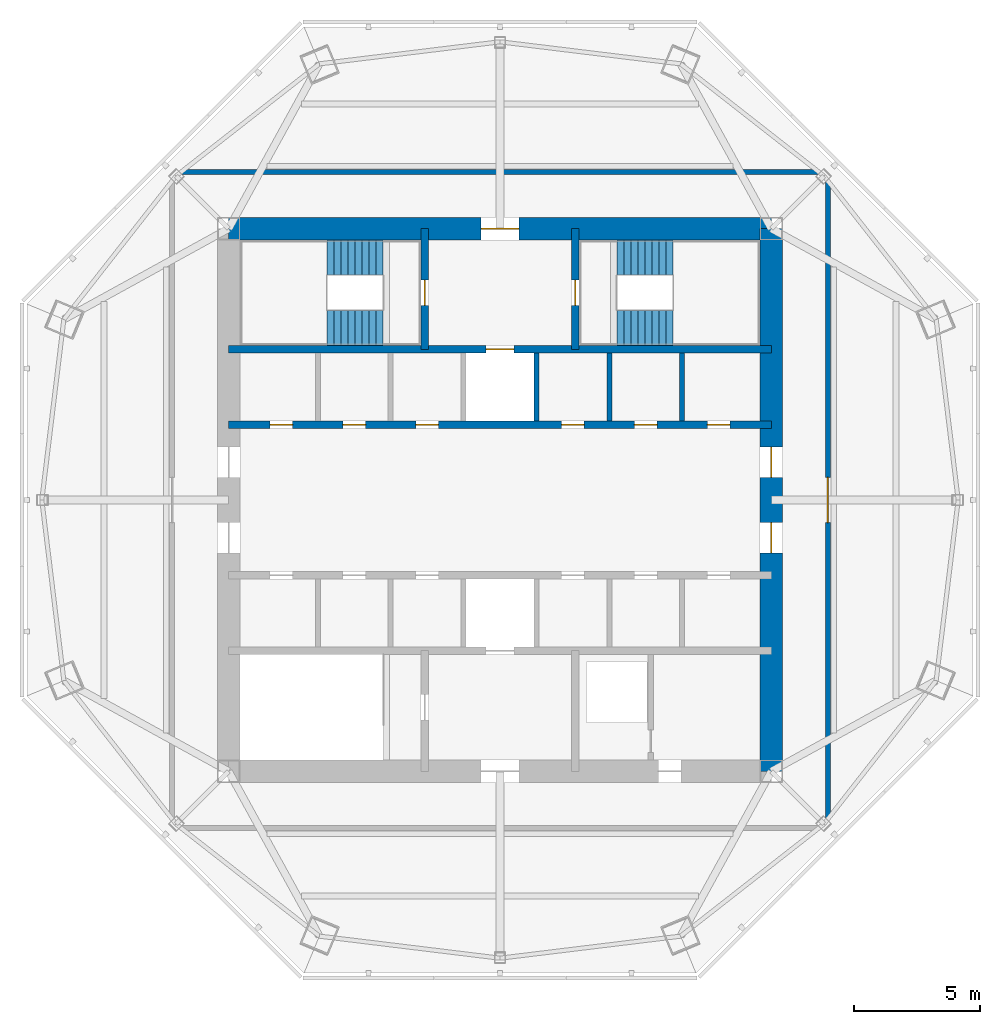
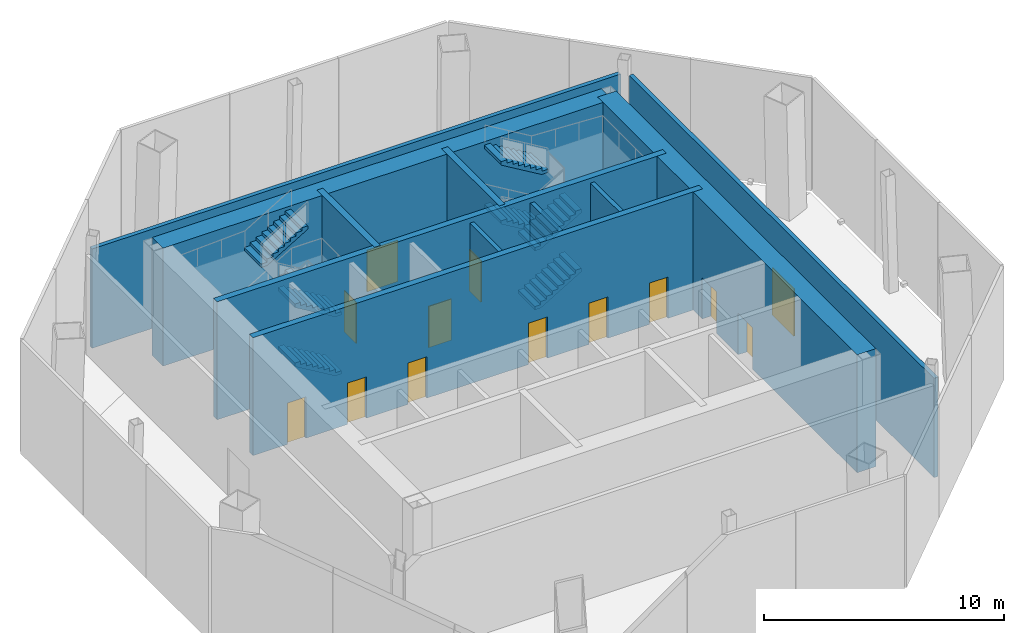
# One storey, part 3 of 6: 13 doors, 11 walls, 8 stair flights, 13 openings, 2 elements without a shape of their own.
"""IFC4 building model written with IfcOpenShell, lengths in metres."""

from ifc_helpers import new_model, si_unit, direction, frame, frame_2d, origin, place, context, subcontext, project, spatial, polyline, rectangle, outline, extrude, material, layer, layer_set, type_object, element, fill, aggregate, save


model = new_model("IFC4")

# Units and contexts
model_context = context("Model", 3, precision=1e-05, world=origin(), true_north=direction((0.0, 1.0)))
body_context = subcontext(model_context, "Body", "Model", "MODEL_VIEW")
ifc_project = project(units=[si_unit("LENGTHUNIT", "METRE"), si_unit("AREAUNIT", "SQUARE_METRE"), si_unit("VOLUMEUNIT", "CUBIC_METRE"), si_unit("PLANEANGLEUNIT", "RADIAN"), si_unit("MASSUNIT", "GRAM", prefix="KILO")], contexts=[model_context])

# Site, building, storey
site_placement = place(None, origin())
site = spatial("IfcSite", under=ifc_project, at=site_placement, CompositionType="ELEMENT")
building_placement = place(site_placement, origin())
building = spatial("IfcBuilding", under=site, at=building_placement, Name="Mashrafa Tower", CompositionType="ELEMENT")
storey_placement = place(building_placement, frame((0.0, 0.0, 317.60009765625)))
storey = spatial("IfcBuildingStorey", under=building, at=storey_placement, Name="L78", CompositionType="ELEMENT", Elevation=317.60009765625)

# Wall, opening, door
ifc_material_1 = material(Name="Concrete masonry unit", Category="masonry")
ifc_layer_1 = layer(ifc_material_1, 0.199951171875)
ifc_layer_set_1 = layer_set([ifc_layer_1], Name="Blockwork wall 200 2 hr")
wall_type_1 = type_object("IfcWallType", Name="Blockwork wall 200 2 hr", PredefinedType="PARTITIONING", material=ifc_layer_set_1)
wall_1_placement = place(storey_placement, frame((13.050048828125, -12.704833984375, 0.0), z_axis=(0.0, 0.0, 1.0), x_axis=(0.0, 1.0, 0.0)))
wall_1 = element("IfcWall", 1, at=wall_1_placement, inside=storey, type_object=wall_type_1, Name="Blockwork wall L78-001", PredefinedType="PARTITIONING", context=body_context, shape_type="SweptSolid", body=[
    extrude(rectangle(XDim=25.40966796875, YDim=0.199951171875, at=frame_2d((12.704833984375, 0.0))), origin(), (0.0, 0.0, 1.0), 5.04638671875),
])
opening_1_placement = place(wall_1_placement, frame((11.804931640625, 0.0, 0.0)))
opening_1 = element("IfcOpeningElement", 2, at=opening_1_placement, cuts=wall_1, Name="Opening 78.001", PredefinedType="OPENING", context=body_context, shape_type="SweptSolid", body=[
    extrude(rectangle(XDim=1.800048828125, YDim=2.39990234375, at=frame_2d((0.89990234375, 1.199951171875))), frame((0.0, 0.10986328125, 0.0), z_axis=(0.0, -1.0, 0.0), x_axis=(1.0, 0.0, 0.0)), (0.0, 0.0, 1.0), 0.219970703125),
])
ifc_material_2 = material(Name="Steel door", Category="steel")
door_type_1 = type_object("IfcDoorType", Name="Door pair 1800 x 2400 90 min", OperationType="DOUBLE_DOOR_SINGLE_SWING", PredefinedType="DOOR", material=ifc_material_2)
door_1_placement = place(opening_1_placement, frame((1.800048828125, 0.0, 0.0), z_axis=(0.0, 0.0, 1.0), x_axis=(-1.0, 0.0, 0.0)))
door_1 = element("IfcDoor", 3, at=door_1_placement, inside=storey, type_object=door_type_1, Name="Crown Plant Room L78 North door", OperationType="DOUBLE_DOOR_SINGLE_SWING", OverallHeight=2.39990234375, OverallWidth=1.800048828125, PredefinedType="DOOR", context=body_context, shape_type="SweptSolid", body=[
    extrude(rectangle(XDim=1.800048828125, YDim=2.39990234375, at=frame_2d((0.89990234375, 1.199951171875))), frame((0.0, 0.02490234375, 0.0), z_axis=(0.0, -1.0, 0.0), x_axis=(1.0, 0.0, 0.0)), (0.0, 0.0, 1.0), 0.050048828125),
])
fill(opening_1, door_1)

# Wall
wall_2_placement = place(storey_placement, frame((12.704833984375, 13.050048828125, 0.0), z_axis=(0.0, 0.0, 1.0), x_axis=(-1.0, 0.0, 0.0)))
element("IfcWall", 4, at=wall_2_placement, inside=storey, type_object=wall_type_1, Name="Blockwork wall L78-002", PredefinedType="PARTITIONING", context=body_context, shape_type="SweptSolid", body=[
    extrude(rectangle(XDim=25.40966796875, YDim=0.199951171875, at=frame_2d((12.704833984375, 0.0))), origin(), (0.0, 0.0, 1.0), 5.04638671875),
])

# Wall, openings, doors
ifc_material_3 = material(Name="Concrete C50/60", Category="concrete")
ifc_layer_2 = layer(ifc_material_3, 0.300048828125)
ifc_layer_set_2 = layer_set([ifc_layer_2], Name="Core wall 300 C50/60")
wall_type_2 = type_object("IfcWallType", Name="Core wall 300 C50/60", PredefinedType="SOLIDWALL", material=ifc_layer_set_2)
wall_3_placement = place(storey_placement, frame((-10.800048828125, 3.0, 0.0), z_axis=(0.0, 0.0, 1.0), x_axis=(1.0, 0.0, 0.0)))
wall_3 = element("IfcWall", 5, at=wall_3_placement, inside=storey, type_object=wall_type_2, Name="Core wall CH-N L78", PredefinedType="SOLIDWALL", context=body_context, shape_type="SweptSolid", body=[
    extrude(rectangle(XDim=21.60009765625, YDim=0.300048828125, at=frame_2d((10.800048828125, 0.0))), origin(), (0.0, 0.0, 1.0), 6.0),
])
opening_2_placement = place(wall_3_placement, frame((1.64990234375, 0.0, 0.0)))
opening_2 = element("IfcOpeningElement", 6, at=opening_2_placement, cuts=wall_3, Name="Opening 78.014", PredefinedType="OPENING", context=body_context, shape_type="SweptSolid", body=[
    extrude(rectangle(XDim=0.89990234375, YDim=2.10009765625, at=frame_2d((0.449951171875, 1.050048828125))), frame((0.0, 0.159912109375, 0.0), z_axis=(0.0, -1.0, 0.0), x_axis=(1.0, 0.0, 0.0)), (0.0, 0.0, 1.0), 0.320068359375),
])
opening_3_placement = place(wall_3_placement, frame((4.550048828125, 0.0, 0.0)))
opening_3 = element("IfcOpeningElement", 7, at=opening_3_placement, cuts=wall_3, Name="Opening 78.015", PredefinedType="OPENING", context=body_context, shape_type="SweptSolid", body=[
    extrude(rectangle(XDim=0.89990234375, YDim=2.10009765625, at=frame_2d((0.449951171875, 1.050048828125))), frame((0.0, 0.159912109375, 0.0), z_axis=(0.0, -1.0, 0.0), x_axis=(1.0, 0.0, 0.0)), (0.0, 0.0, 1.0), 0.320068359375),
])
opening_4_placement = place(wall_3_placement, frame((7.449951171875, 0.0, 0.0)))
opening_4 = element("IfcOpeningElement", 8, at=opening_4_placement, cuts=wall_3, Name="Opening 78.016", PredefinedType="OPENING", context=body_context, shape_type="SweptSolid", body=[
    extrude(rectangle(XDim=0.89990234375, YDim=2.10009765625, at=frame_2d((0.449951171875, 1.050048828125))), frame((0.0, 0.159912109375, 0.0), z_axis=(0.0, -1.0, 0.0), x_axis=(1.0, 0.0, 0.0)), (0.0, 0.0, 1.0), 0.320068359375),
])
opening_5_placement = place(wall_3_placement, frame((13.25, 0.0, 0.0)))
opening_5 = element("IfcOpeningElement", 9, at=opening_5_placement, cuts=wall_3, Name="Opening 78.017", PredefinedType="OPENING", context=body_context, shape_type="SweptSolid", body=[
    extrude(rectangle(XDim=0.89990234375, YDim=2.10009765625, at=frame_2d((0.449951171875, 1.050048828125))), frame((0.0, 0.159912109375, 0.0), z_axis=(0.0, -1.0, 0.0), x_axis=(1.0, 0.0, 0.0)), (0.0, 0.0, 1.0), 0.320068359375),
])
opening_6_placement = place(wall_3_placement, frame((16.14990234375, 0.0, 0.0)))
opening_6 = element("IfcOpeningElement", 10, at=opening_6_placement, cuts=wall_3, Name="Opening 78.018", PredefinedType="OPENING", context=body_context, shape_type="SweptSolid", body=[
    extrude(rectangle(XDim=0.89990234375, YDim=2.10009765625, at=frame_2d((0.449951171875, 1.050048828125))), frame((0.0, 0.159912109375, 0.0), z_axis=(0.0, -1.0, 0.0), x_axis=(1.0, 0.0, 0.0)), (0.0, 0.0, 1.0), 0.320068359375),
])
opening_7_placement = place(wall_3_placement, frame((19.050048828125, 0.0, 0.0)))
opening_7 = element("IfcOpeningElement", 11, at=opening_7_placement, cuts=wall_3, Name="Opening 78.019", PredefinedType="OPENING", context=body_context, shape_type="SweptSolid", body=[
    extrude(rectangle(XDim=0.89990234375, YDim=2.10009765625, at=frame_2d((0.449951171875, 1.050048828125))), frame((0.0, 0.159912109375, 0.0), z_axis=(0.0, -1.0, 0.0), x_axis=(1.0, 0.0, 0.0)), (0.0, 0.0, 1.0), 0.320068359375),
])
ifc_material_4 = material(Name="Timber door", Category="wood")
door_type_2 = type_object("IfcDoorType", Name="Store door 900 x 2100", OperationType="USERDEFINED", PredefinedType="DOOR", material=ifc_material_4)
door_2_placement = place(opening_2_placement, origin())
door_2 = element("IfcDoor", 12, at=door_2_placement, inside=storey, type_object=door_type_2, Name="Plant Store L78-A1 door", OperationType="SINGLE_SWING_RIGHT", OverallHeight=2.10009765625, OverallWidth=0.89990234375, PredefinedType="DOOR", context=body_context, shape_type="SweptSolid", body=[
    extrude(rectangle(XDim=0.89990234375, YDim=2.10009765625, at=frame_2d((0.449951171875, 1.050048828125))), frame((0.0, 0.02490234375, 0.0), z_axis=(0.0, -1.0, 0.0), x_axis=(1.0, 0.0, 0.0)), (0.0, 0.0, 1.0), 0.050048828125),
])
fill(opening_2, door_2)
door_3_placement = place(opening_3_placement, origin())
door_3 = element("IfcDoor", 13, at=door_3_placement, inside=storey, type_object=door_type_2, Name="Plant Store L78-A2 door", OperationType="SINGLE_SWING_LEFT", OverallHeight=2.10009765625, OverallWidth=0.89990234375, PredefinedType="DOOR", context=body_context, shape_type="SweptSolid", body=[
    extrude(rectangle(XDim=0.89990234375, YDim=2.10009765625, at=frame_2d((0.449951171875, 1.050048828125))), frame((0.0, 0.02490234375, 0.0), z_axis=(0.0, -1.0, 0.0), x_axis=(1.0, 0.0, 0.0)), (0.0, 0.0, 1.0), 0.050048828125),
])
fill(opening_3, door_3)
door_4_placement = place(opening_4_placement, origin())
door_4 = element("IfcDoor", 14, at=door_4_placement, inside=storey, type_object=door_type_2, Name="Plant Store L78-A3 door", OperationType="SINGLE_SWING_LEFT", OverallHeight=2.10009765625, OverallWidth=0.89990234375, PredefinedType="DOOR", context=body_context, shape_type="SweptSolid", body=[
    extrude(rectangle(XDim=0.89990234375, YDim=2.10009765625, at=frame_2d((0.449951171875, 1.050048828125))), frame((0.0, 0.02490234375, 0.0), z_axis=(0.0, -1.0, 0.0), x_axis=(1.0, 0.0, 0.0)), (0.0, 0.0, 1.0), 0.050048828125),
])
fill(opening_4, door_4)
door_5_placement = place(opening_5_placement, origin())
door_5 = element("IfcDoor", 15, at=door_5_placement, inside=storey, type_object=door_type_2, Name="Plant Store L78-A4 door", OperationType="SINGLE_SWING_LEFT", OverallHeight=2.10009765625, OverallWidth=0.89990234375, PredefinedType="DOOR", context=body_context, shape_type="SweptSolid", body=[
    extrude(rectangle(XDim=0.89990234375, YDim=2.10009765625, at=frame_2d((0.449951171875, 1.050048828125))), frame((0.0, 0.02490234375, 0.0), z_axis=(0.0, -1.0, 0.0), x_axis=(1.0, 0.0, 0.0)), (0.0, 0.0, 1.0), 0.050048828125),
])
fill(opening_5, door_5)
door_6_placement = place(opening_6_placement, origin())
door_6 = element("IfcDoor", 16, at=door_6_placement, inside=storey, type_object=door_type_2, Name="Plant Store L78-K1 door", OperationType="SINGLE_SWING_LEFT", OverallHeight=2.10009765625, OverallWidth=0.89990234375, PredefinedType="DOOR", context=body_context, shape_type="SweptSolid", body=[
    extrude(rectangle(XDim=0.89990234375, YDim=2.10009765625, at=frame_2d((0.449951171875, 1.050048828125))), frame((0.0, 0.02490234375, 0.0), z_axis=(0.0, -1.0, 0.0), x_axis=(1.0, 0.0, 0.0)), (0.0, 0.0, 1.0), 0.050048828125),
])
fill(opening_6, door_6)
door_7_placement = place(opening_7_placement, origin())
door_7 = element("IfcDoor", 17, at=door_7_placement, inside=storey, type_object=door_type_2, Name="Plant Store L78-K2 door", OperationType="SINGLE_SWING_LEFT", OverallHeight=2.10009765625, OverallWidth=0.89990234375, PredefinedType="DOOR", context=body_context, shape_type="SweptSolid", body=[
    extrude(rectangle(XDim=0.89990234375, YDim=2.10009765625, at=frame_2d((0.449951171875, 1.050048828125))), frame((0.0, 0.02490234375, 0.0), z_axis=(0.0, -1.0, 0.0), x_axis=(1.0, 0.0, 0.0)), (0.0, 0.0, 1.0), 0.050048828125),
])
fill(opening_7, door_7)

# Wall, opening, door
wall_4_placement = place(storey_placement, frame((-10.800048828125, 6.0, 0.0), z_axis=(0.0, 0.0, 1.0), x_axis=(1.0, 0.0, 0.0)))
wall_4 = element("IfcWall", 18, at=wall_4_placement, inside=storey, type_object=wall_type_2, Name="Core wall CB-N L78", PredefinedType="SOLIDWALL", context=body_context, shape_type="SweptSolid", body=[
    extrude(rectangle(XDim=21.60009765625, YDim=0.300048828125, at=frame_2d((10.800048828125, 0.0))), origin(), (0.0, 0.0, 1.0), 6.0),
])
opening_8_placement = place(wall_4_placement, frame((10.25, 0.0, 0.0)))
opening_8 = element("IfcOpeningElement", 19, at=opening_8_placement, cuts=wall_4, Name="Opening 78.F1", PredefinedType="OPENING", context=body_context, shape_type="SweptSolid", body=[
    extrude(rectangle(XDim=1.10009765625, YDim=2.10009765625, at=frame_2d((0.550048828125, 1.050048828125))), frame((0.0, 0.159912109375, 0.0), z_axis=(0.0, -1.0, 0.0), x_axis=(1.0, 0.0, 0.0)), (0.0, 0.0, 1.0), 0.320068359375),
])
ifc_material_5 = material(Name="Steel door", Category="steel")
door_type_3 = type_object("IfcDoorType", Name="Lift landing door 1100 x 2100 90 min", OperationType="DOUBLE_DOOR_SLIDING", PredefinedType="DOOR", material=ifc_material_5)
door_8_placement = place(opening_8_placement, origin())
door_8 = element("IfcDoor", 20, at=door_8_placement, inside=storey, type_object=door_type_3, Name="Lift landing door F1 L78", OperationType="DOUBLE_DOOR_SLIDING", OverallHeight=2.10009765625, OverallWidth=1.10009765625, PredefinedType="DOOR", context=body_context, shape_type="SweptSolid", body=[
    extrude(rectangle(XDim=1.10009765625, YDim=2.10009765625, at=frame_2d((0.550048828125, 1.050048828125))), frame((0.0, 0.02490234375, 0.0), z_axis=(0.0, -1.0, 0.0), x_axis=(1.0, 0.0, 0.0)), (0.0, 0.0, 1.0), 0.050048828125),
])
fill(opening_8, door_8)

wall_5_placement = place(storey_placement, frame((-3.0, 6.0, 0.0), z_axis=(0.0, 0.0, 1.0), x_axis=(0.0, 1.0, 0.0)))
wall_5 = element("IfcWall", 21, at=wall_5_placement, inside=storey, type_object=wall_type_2, Name="Core wall CX-NW L78", PredefinedType="SOLIDWALL", context=body_context, shape_type="SweptSolid", body=[
    extrude(rectangle(XDim=4.800048828125, YDim=0.300048828125, at=frame_2d((2.39990234375, 0.0))), origin(), (0.0, 0.0, 1.0), 6.0),
])
opening_9_placement = place(wall_5_placement, frame((1.75, 0.0, 0.0)))
opening_9 = element("IfcOpeningElement", 22, at=opening_9_placement, cuts=wall_5, Name="Opening 78.009", PredefinedType="OPENING", context=body_context, shape_type="SweptSolid", body=[
    extrude(rectangle(XDim=1.0, YDim=2.10009765625, at=frame_2d((0.5, 1.050048828125))), frame((0.0, 0.159912109375, 0.0), z_axis=(0.0, -1.0, 0.0), x_axis=(1.0, 0.0, 0.0)), (0.0, 0.0, 1.0), 0.320068359375),
])
ifc_material_6 = material(Name="Steel door", Category="steel")
door_type_4 = type_object("IfcDoorType", Name="Stair door 1000 x 2100 90 min", OperationType="USERDEFINED", PredefinedType="DOOR", material=ifc_material_6)
door_9_placement = place(opening_9_placement, origin())
door_9 = element("IfcDoor", 23, at=door_9_placement, inside=storey, type_object=door_type_4, Name="Stair S1 door L78", OperationType="SINGLE_SWING_LEFT", OverallHeight=2.10009765625, OverallWidth=1.0, PredefinedType="DOOR", context=body_context, shape_type="SweptSolid", body=[
    extrude(rectangle(XDim=1.0, YDim=2.10009765625, at=frame_2d((0.5, 1.050048828125))), frame((0.0, 0.02490234375, 0.0), z_axis=(0.0, -1.0, 0.0), x_axis=(1.0, 0.0, 0.0)), (0.0, 0.0, 1.0), 0.050048828125),
])
fill(opening_9, door_9)

wall_6_placement = place(storey_placement, frame((3.0, 6.0, 0.0), z_axis=(0.0, 0.0, 1.0), x_axis=(0.0, 1.0, 0.0)))
wall_6 = element("IfcWall", 24, at=wall_6_placement, inside=storey, type_object=wall_type_2, Name="Core wall CX-NE L78", PredefinedType="SOLIDWALL", context=body_context, shape_type="SweptSolid", body=[
    extrude(rectangle(XDim=4.800048828125, YDim=0.300048828125, at=frame_2d((2.39990234375, 0.0))), origin(), (0.0, 0.0, 1.0), 6.0),
])
opening_10_placement = place(wall_6_placement, frame((1.75, 0.0, 0.0)))
opening_10 = element("IfcOpeningElement", 25, at=opening_10_placement, cuts=wall_6, Name="Opening 78.010", PredefinedType="OPENING", context=body_context, shape_type="SweptSolid", body=[
    extrude(rectangle(XDim=1.0, YDim=2.10009765625, at=frame_2d((0.5, 1.050048828125))), frame((0.0, 0.159912109375, 0.0), z_axis=(0.0, -1.0, 0.0), x_axis=(1.0, 0.0, 0.0)), (0.0, 0.0, 1.0), 0.320068359375),
])
door_10_placement = place(opening_10_placement, frame((1.0, 0.0, 0.0), z_axis=(0.0, 0.0, 1.0), x_axis=(-1.0, 0.0, 0.0)))
door_10 = element("IfcDoor", 26, at=door_10_placement, inside=storey, type_object=door_type_4, Name="Stair S2 door L78", OperationType="SINGLE_SWING_RIGHT", OverallHeight=2.10009765625, OverallWidth=1.0, PredefinedType="DOOR", context=body_context, shape_type="SweptSolid", body=[
    extrude(rectangle(XDim=1.0, YDim=2.10009765625, at=frame_2d((0.5, 1.050048828125))), frame((0.0, 0.02490234375, 0.0), z_axis=(0.0, -1.0, 0.0), x_axis=(1.0, 0.0, 0.0)), (0.0, 0.0, 1.0), 0.050048828125),
])
fill(opening_10, door_10)

# Wall, openings, doors
ifc_material_7 = material(Name="Concrete C50/60", Category="concrete")
ifc_layer_3 = layer(ifc_material_7, 0.89990234375)
ifc_layer_set_3 = layer_set([ifc_layer_3], Name="Core wall 900 C50/60")
wall_type_3 = type_object("IfcWallType", Name="Core wall 900 C50/60", PredefinedType="SOLIDWALL", material=ifc_layer_set_3)
wall_7_placement = place(storey_placement, frame((10.800048828125, -10.800048828125, 0.0), z_axis=(0.0, 0.0, 1.0), x_axis=(0.0, 1.0, 0.0)))
wall_7 = element("IfcWall", 27, at=wall_7_placement, inside=storey, type_object=wall_type_3, Name="Core wall CW-E L78", PredefinedType="SOLIDWALL", context=body_context, shape_type="SweptSolid", body=[
    extrude(rectangle(XDim=21.60009765625, YDim=0.89990234375, at=frame_2d((10.800048828125, 0.0))), origin(), (0.0, 0.0, 1.0), 6.0),
])
opening_11_placement = place(wall_7_placement, frame((11.699951171875, 0.0, 0.0)))
opening_11 = element("IfcOpeningElement", 28, at=opening_11_placement, cuts=wall_7, Name="Opening 78.003", PredefinedType="OPENING", context=body_context, shape_type="SweptSolid", body=[
    extrude(rectangle(XDim=1.199951171875, YDim=2.10009765625, at=frame_2d((0.60009765625, 1.050048828125))), frame((0.0, 0.4599609375, 0.0), z_axis=(0.0, -1.0, 0.0), x_axis=(1.0, 0.0, 0.0)), (0.0, 0.0, 1.0), 0.919921875),
])
opening_12_placement = place(wall_7_placement, frame((8.699951171875, 0.0, 0.0)))
opening_12 = element("IfcOpeningElement", 29, at=opening_12_placement, cuts=wall_7, Name="Opening 78.005", PredefinedType="OPENING", context=body_context, shape_type="SweptSolid", body=[
    extrude(rectangle(XDim=1.199951171875, YDim=2.10009765625, at=frame_2d((0.60009765625, 1.050048828125))), frame((0.0, 0.4599609375, 0.0), z_axis=(0.0, -1.0, 0.0), x_axis=(1.0, 0.0, 0.0)), (0.0, 0.0, 1.0), 0.919921875),
])
ifc_material_8 = material(Name="Steel door", Category="steel")
door_type_5 = type_object("IfcDoorType", Name="Lift hall door 1200 x 2100 90 min", OperationType="USERDEFINED", PredefinedType="DOOR", material=ifc_material_8)
door_11_placement = place(opening_11_placement, frame((1.199951171875, 0.0, 0.0), z_axis=(0.0, 0.0, 1.0), x_axis=(-1.0, 0.0, 0.0)))
door_11 = element("IfcDoor", 30, at=door_11_placement, inside=storey, type_object=door_type_5, Name="Lift hall door east L78", OperationType="SINGLE_SWING_LEFT", OverallHeight=2.10009765625, OverallWidth=1.199951171875, PredefinedType="DOOR", context=body_context, shape_type="SweptSolid", body=[
    extrude(rectangle(XDim=1.199951171875, YDim=2.10009765625, at=frame_2d((0.60009765625, 1.050048828125))), frame((0.0, 0.02490234375, 0.0), z_axis=(0.0, -1.0, 0.0), x_axis=(1.0, 0.0, 0.0)), (0.0, 0.0, 1.0), 0.050048828125),
])
fill(opening_11, door_11)
door_12_placement = place(opening_12_placement, frame((1.199951171875, 0.0, 0.0), z_axis=(0.0, 0.0, 1.0), x_axis=(-1.0, 0.0, 0.0)))
door_12 = element("IfcDoor", 31, at=door_12_placement, inside=storey, type_object=door_type_5, Name="Lift hall door east L78", OperationType="SINGLE_SWING_RIGHT", OverallHeight=2.10009765625, OverallWidth=1.199951171875, PredefinedType="DOOR", context=body_context, shape_type="SweptSolid", body=[
    extrude(rectangle(XDim=1.199951171875, YDim=2.10009765625, at=frame_2d((0.60009765625, 1.050048828125))), frame((0.0, 0.02490234375, 0.0), z_axis=(0.0, -1.0, 0.0), x_axis=(1.0, 0.0, 0.0)), (0.0, 0.0, 1.0), 0.050048828125),
])
fill(opening_12, door_12)

# Wall, opening, door
wall_8_placement = place(storey_placement, frame((10.800048828125, 10.800048828125, 0.0), z_axis=(0.0, 0.0, 1.0), x_axis=(-1.0, 0.0, 0.0)))
wall_8 = element("IfcWall", 32, at=wall_8_placement, inside=storey, type_object=wall_type_3, Name="Core wall CW-N L78", PredefinedType="SOLIDWALL", context=body_context, shape_type="SweptSolid", body=[
    extrude(rectangle(XDim=21.60009765625, YDim=0.89990234375, at=frame_2d((10.800048828125, 0.0))), origin(), (0.0, 0.0, 1.0), 6.0),
])
opening_13_placement = place(wall_8_placement, frame((10.050048828125, 0.0, 0.0)))
opening_13 = element("IfcOpeningElement", 33, at=opening_13_placement, cuts=wall_8, Name="Opening 78.007", PredefinedType="OPENING", context=body_context, shape_type="SweptSolid", body=[
    extrude(rectangle(XDim=1.5, YDim=2.10009765625, at=frame_2d((0.75, 1.050048828125))), frame((0.0, 0.4599609375, 0.0), z_axis=(0.0, -1.0, 0.0), x_axis=(1.0, 0.0, 0.0)), (0.0, 0.0, 1.0), 0.919921875),
])
ifc_material_9 = material(Name="Steel door", Category="steel")
door_type_6 = type_object("IfcDoorType", Name="Lobby door pair 1500 x 2100 90 min", OperationType="DOUBLE_DOOR_SINGLE_SWING", PredefinedType="DOOR", material=ifc_material_9)
door_13_placement = place(opening_13_placement, origin())
door_13 = element("IfcDoor", 34, at=door_13_placement, inside=storey, type_object=door_type_6, Name="Fire-fighting lobby F1 door L78", OperationType="DOUBLE_DOOR_SINGLE_SWING", OverallHeight=2.10009765625, OverallWidth=1.5, PredefinedType="DOOR", context=body_context, shape_type="SweptSolid", body=[
    extrude(rectangle(XDim=1.5, YDim=2.10009765625, at=frame_2d((0.75, 1.050048828125))), frame((0.0, 0.02490234375, 0.0), z_axis=(0.0, -1.0, 0.0), x_axis=(1.0, 0.0, 0.0)), (0.0, 0.0, 1.0), 0.050048828125),
])
fill(opening_13, door_13)

# Walls
ifc_material_10 = material(Name="Gypsum shaft wall on steel studs", Category="steel")
ifc_layer_4 = layer(ifc_material_10, 0.199951171875)
ifc_layer_set_4 = layer_set([ifc_layer_4], Name="Shaft divider wall 200 2 hr")
wall_type_4 = type_object("IfcWallType", Name="Shaft divider wall 200 2 hr", PredefinedType="PARTITIONING", material=ifc_layer_set_4)
for number, where, z_axis, x_axis, name in (
    (35, (1.449951171875, 3.14990234375, 0.0), (0.0, 0.0, 1.0), (0.0, 1.0, 0.0), "Shaft divider wall N4 L78"),
    (36, (4.35009765625, 3.14990234375, 0.0), (0.0, 0.0, 1.0), (0.0, 1.0, 0.0), "Shaft divider wall N5 L78"),
    (37, (7.25, 3.14990234375, 0.0), (0.0, 0.0, 1.0), (0.0, 1.0, 0.0), "Shaft divider wall N6 L78"),
):
    element("IfcWall", number, at=place(storey_placement, frame(where, z_axis=z_axis, x_axis=x_axis)), inside=storey, type_object=wall_type_4, Name=name, PredefinedType="PARTITIONING", context=body_context, shape_type="SweptSolid", body=[
        extrude(rectangle(XDim=2.7001953125, YDim=0.199951171875, at=frame_2d((1.35009765625, 0.0))), origin(), (0.0, 0.0, 1.0), 5.75),
    ])

# Stair, stair flights
ifc_material_11 = material(Name="Exit stair 1400")
stair_type = type_object("IfcStairType", Name="Exit stair 1400", PredefinedType="HALF_TURN_STAIR", material=ifc_material_11)
stair_1_placement = place(storey_placement, origin())
stair_1 = element("IfcStair", 38, at=stair_1_placement, inside=storey, type_object=stair_type, Name="Stair S1 L78", PredefinedType="HALF_TURN_STAIR")
ifc_material_12 = material(Name="Concrete C32/40", Category="concrete")
stair_flight_type = type_object("IfcStairFlightType", Name="Stair flight 1400", PredefinedType="STRAIGHT", material=ifc_material_12)
stair_flight_1_placement = place(storey_placement, frame((-4.64990234375, 6.85009765625, 0.0), z_axis=(0.0, 0.0, 1.0), x_axis=(-1.0, 0.0, 0.0)))
stair_flight_1 = element("IfcStairFlight", 39, at=stair_flight_1_placement, type_object=stair_flight_type, Name="S1 flight 1", NumberOfRisers=9, NumberOfTreads=8, PredefinedType="STRAIGHT", RiserHeight=0.166666667, TreadLength=0.28, context=body_context, shape_type="SweptSolid", body=[
    extrude(outline(polyline([(0.0, 0.0), (0.0, 0.166748046875), (0.280029296875, 0.166748046875), (0.280029296875, 0.333251953125), (0.56005859375, 0.333251953125), (0.56005859375, 0.5), (0.840087890625, 0.5), (0.840087890625, 0.666748046875), (1.1201171875, 0.666748046875), (1.1201171875, 0.833251953125), (1.39990234375, 0.833251953125), (1.39990234375, 1.0), (1.679931640625, 1.0), (1.679931640625, 1.166748046875), (1.9599609375, 1.166748046875), (1.9599609375, 1.333251953125), (2.239990234375, 1.333251953125), (2.239990234375, 1.5), (2.239990234375, 1.158935546875), (0.29296875, 0.0), (0.0, 0.0)])), frame((0.0, 0.699951171875, 0.0), z_axis=(0.0, -1.0, 0.0), x_axis=(1.0, 0.0, 0.0)), (0.0, 0.0, 1.0), 1.39990234375),
])
stair_flight_2_placement = place(storey_placement, frame((-6.889892578125, 9.64990234375, 1.5), z_axis=(0.0, 0.0, 1.0), x_axis=(1.0, 0.0, 0.0)))
stair_flight_2 = element("IfcStairFlight", 40, at=stair_flight_2_placement, type_object=stair_flight_type, Name="S1 flight 2", NumberOfRisers=9, NumberOfTreads=8, PredefinedType="STRAIGHT", RiserHeight=0.166666667, TreadLength=0.28, context=body_context, shape_type="SweptSolid", body=[
    extrude(outline(polyline([(0.0, 0.0), (0.0, 0.166748046875), (0.280029296875, 0.166748046875), (0.280029296875, 0.333251953125), (0.56005859375, 0.333251953125), (0.56005859375, 0.5), (0.840087890625, 0.5), (0.840087890625, 0.666748046875), (1.1201171875, 0.666748046875), (1.1201171875, 0.833251953125), (1.39990234375, 0.833251953125), (1.39990234375, 1.0), (1.679931640625, 1.0), (1.679931640625, 1.166748046875), (1.9599609375, 1.166748046875), (1.9599609375, 1.333251953125), (2.239990234375, 1.333251953125), (2.239990234375, 1.5), (2.239990234375, 1.158935546875), (0.29296875, 0.0), (0.0, 0.0)])), frame((0.0, 0.699951171875, 0.0), z_axis=(0.0, -1.0, 0.0), x_axis=(1.0, 0.0, 0.0)), (0.0, 0.0, 1.0), 1.39990234375),
])
stair_flight_3_placement = place(storey_placement, frame((-4.64990234375, 6.85009765625, 3.0), z_axis=(0.0, 0.0, 1.0), x_axis=(-1.0, 0.0, 0.0)))
stair_flight_3 = element("IfcStairFlight", 41, at=stair_flight_3_placement, type_object=stair_flight_type, Name="S1 flight 3", NumberOfRisers=9, NumberOfTreads=8, PredefinedType="STRAIGHT", RiserHeight=0.166666667, TreadLength=0.28, context=body_context, shape_type="SweptSolid", body=[
    extrude(outline(polyline([(0.0, 0.0), (0.0, 0.166748046875), (0.280029296875, 0.166748046875), (0.280029296875, 0.333251953125), (0.56005859375, 0.333251953125), (0.56005859375, 0.5), (0.840087890625, 0.5), (0.840087890625, 0.666748046875), (1.1201171875, 0.666748046875), (1.1201171875, 0.833251953125), (1.39990234375, 0.833251953125), (1.39990234375, 1.0), (1.679931640625, 1.0), (1.679931640625, 1.166748046875), (1.9599609375, 1.166748046875), (1.9599609375, 1.333251953125), (2.239990234375, 1.333251953125), (2.239990234375, 1.5), (2.239990234375, 1.158935546875), (0.29296875, 0.0), (0.0, 0.0)])), frame((0.0, 0.699951171875, 0.0), z_axis=(0.0, -1.0, 0.0), x_axis=(1.0, 0.0, 0.0)), (0.0, 0.0, 1.0), 1.39990234375),
])
stair_flight_4_placement = place(storey_placement, frame((-6.889892578125, 9.64990234375, 4.5), z_axis=(0.0, 0.0, 1.0), x_axis=(1.0, 0.0, 0.0)))
stair_flight_4 = element("IfcStairFlight", 42, at=stair_flight_4_placement, type_object=stair_flight_type, Name="S1 flight 4", NumberOfRisers=9, NumberOfTreads=8, PredefinedType="STRAIGHT", RiserHeight=0.166666667, TreadLength=0.28, context=body_context, shape_type="SweptSolid", body=[
    extrude(outline(polyline([(0.0, 0.0), (0.0, 0.166748046875), (0.280029296875, 0.166748046875), (0.280029296875, 0.333251953125), (0.56005859375, 0.333251953125), (0.56005859375, 0.5), (0.840087890625, 0.5), (0.840087890625, 0.666748046875), (1.1201171875, 0.666748046875), (1.1201171875, 0.833251953125), (1.39990234375, 0.833251953125), (1.39990234375, 1.0), (1.679931640625, 1.0), (1.679931640625, 1.166748046875), (1.9599609375, 1.166748046875), (1.9599609375, 1.333251953125), (2.239990234375, 1.333251953125), (2.239990234375, 1.5), (2.239990234375, 1.158935546875), (0.29296875, 0.0), (0.0, 0.0)])), frame((0.0, 0.699951171875, 0.0), z_axis=(0.0, -1.0, 0.0), x_axis=(1.0, 0.0, 0.0)), (0.0, 0.0, 1.0), 1.39990234375),
])
aggregate(stair_1, [stair_flight_1, stair_flight_2, stair_flight_3, stair_flight_4])

stair_2_placement = place(storey_placement, origin())
stair_2 = element("IfcStair", 43, at=stair_2_placement, inside=storey, type_object=stair_type, Name="Stair S2 L78", PredefinedType="HALF_TURN_STAIR")
stair_flight_5_placement = place(storey_placement, frame((4.64990234375, 6.85009765625, 0.0), z_axis=(0.0, 0.0, 1.0), x_axis=(1.0, 0.0, 0.0)))
stair_flight_5 = element("IfcStairFlight", 44, at=stair_flight_5_placement, type_object=stair_flight_type, Name="S2 flight 1", NumberOfRisers=9, NumberOfTreads=8, PredefinedType="STRAIGHT", RiserHeight=0.166666667, TreadLength=0.28, context=body_context, shape_type="SweptSolid", body=[
    extrude(outline(polyline([(0.0, 0.0), (0.0, 0.166748046875), (0.280029296875, 0.166748046875), (0.280029296875, 0.333251953125), (0.56005859375, 0.333251953125), (0.56005859375, 0.5), (0.840087890625, 0.5), (0.840087890625, 0.666748046875), (1.1201171875, 0.666748046875), (1.1201171875, 0.833251953125), (1.39990234375, 0.833251953125), (1.39990234375, 1.0), (1.679931640625, 1.0), (1.679931640625, 1.166748046875), (1.9599609375, 1.166748046875), (1.9599609375, 1.333251953125), (2.239990234375, 1.333251953125), (2.239990234375, 1.5), (2.239990234375, 1.158935546875), (0.29296875, 0.0), (0.0, 0.0)])), frame((0.0, 0.699951171875, 0.0), z_axis=(0.0, -1.0, 0.0), x_axis=(1.0, 0.0, 0.0)), (0.0, 0.0, 1.0), 1.39990234375),
])
stair_flight_6_placement = place(storey_placement, frame((6.889892578125, 9.64990234375, 1.5), z_axis=(0.0, 0.0, 1.0), x_axis=(-1.0, 0.0, 0.0)))
stair_flight_6 = element("IfcStairFlight", 45, at=stair_flight_6_placement, type_object=stair_flight_type, Name="S2 flight 2", NumberOfRisers=9, NumberOfTreads=8, PredefinedType="STRAIGHT", RiserHeight=0.166666667, TreadLength=0.28, context=body_context, shape_type="SweptSolid", body=[
    extrude(outline(polyline([(0.0, 0.0), (0.0, 0.166748046875), (0.280029296875, 0.166748046875), (0.280029296875, 0.333251953125), (0.56005859375, 0.333251953125), (0.56005859375, 0.5), (0.840087890625, 0.5), (0.840087890625, 0.666748046875), (1.1201171875, 0.666748046875), (1.1201171875, 0.833251953125), (1.39990234375, 0.833251953125), (1.39990234375, 1.0), (1.679931640625, 1.0), (1.679931640625, 1.166748046875), (1.9599609375, 1.166748046875), (1.9599609375, 1.333251953125), (2.239990234375, 1.333251953125), (2.239990234375, 1.5), (2.239990234375, 1.158935546875), (0.29296875, 0.0), (0.0, 0.0)])), frame((0.0, 0.699951171875, 0.0), z_axis=(0.0, -1.0, 0.0), x_axis=(1.0, 0.0, 0.0)), (0.0, 0.0, 1.0), 1.39990234375),
])
stair_flight_7_placement = place(storey_placement, frame((4.64990234375, 6.85009765625, 3.0), z_axis=(0.0, 0.0, 1.0), x_axis=(1.0, 0.0, 0.0)))
stair_flight_7 = element("IfcStairFlight", 46, at=stair_flight_7_placement, type_object=stair_flight_type, Name="S2 flight 3", NumberOfRisers=9, NumberOfTreads=8, PredefinedType="STRAIGHT", RiserHeight=0.166666667, TreadLength=0.28, context=body_context, shape_type="SweptSolid", body=[
    extrude(outline(polyline([(0.0, 0.0), (0.0, 0.166748046875), (0.280029296875, 0.166748046875), (0.280029296875, 0.333251953125), (0.56005859375, 0.333251953125), (0.56005859375, 0.5), (0.840087890625, 0.5), (0.840087890625, 0.666748046875), (1.1201171875, 0.666748046875), (1.1201171875, 0.833251953125), (1.39990234375, 0.833251953125), (1.39990234375, 1.0), (1.679931640625, 1.0), (1.679931640625, 1.166748046875), (1.9599609375, 1.166748046875), (1.9599609375, 1.333251953125), (2.239990234375, 1.333251953125), (2.239990234375, 1.5), (2.239990234375, 1.158935546875), (0.29296875, 0.0), (0.0, 0.0)])), frame((0.0, 0.699951171875, 0.0), z_axis=(0.0, -1.0, 0.0), x_axis=(1.0, 0.0, 0.0)), (0.0, 0.0, 1.0), 1.39990234375),
])
stair_flight_8_placement = place(storey_placement, frame((6.889892578125, 9.64990234375, 4.5), z_axis=(0.0, 0.0, 1.0), x_axis=(-1.0, 0.0, 0.0)))
stair_flight_8 = element("IfcStairFlight", 47, at=stair_flight_8_placement, type_object=stair_flight_type, Name="S2 flight 4", NumberOfRisers=9, NumberOfTreads=8, PredefinedType="STRAIGHT", RiserHeight=0.166666667, TreadLength=0.28, context=body_context, shape_type="SweptSolid", body=[
    extrude(outline(polyline([(0.0, 0.0), (0.0, 0.166748046875), (0.280029296875, 0.166748046875), (0.280029296875, 0.333251953125), (0.56005859375, 0.333251953125), (0.56005859375, 0.5), (0.840087890625, 0.5), (0.840087890625, 0.666748046875), (1.1201171875, 0.666748046875), (1.1201171875, 0.833251953125), (1.39990234375, 0.833251953125), (1.39990234375, 1.0), (1.679931640625, 1.0), (1.679931640625, 1.166748046875), (1.9599609375, 1.166748046875), (1.9599609375, 1.333251953125), (2.239990234375, 1.333251953125), (2.239990234375, 1.5), (2.239990234375, 1.158935546875), (0.29296875, 0.0), (0.0, 0.0)])), frame((0.0, 0.699951171875, 0.0), z_axis=(0.0, -1.0, 0.0), x_axis=(1.0, 0.0, 0.0)), (0.0, 0.0, 1.0), 1.39990234375),
])
aggregate(stair_2, [stair_flight_5, stair_flight_6, stair_flight_7, stair_flight_8])

save(model, "model.ifc")
